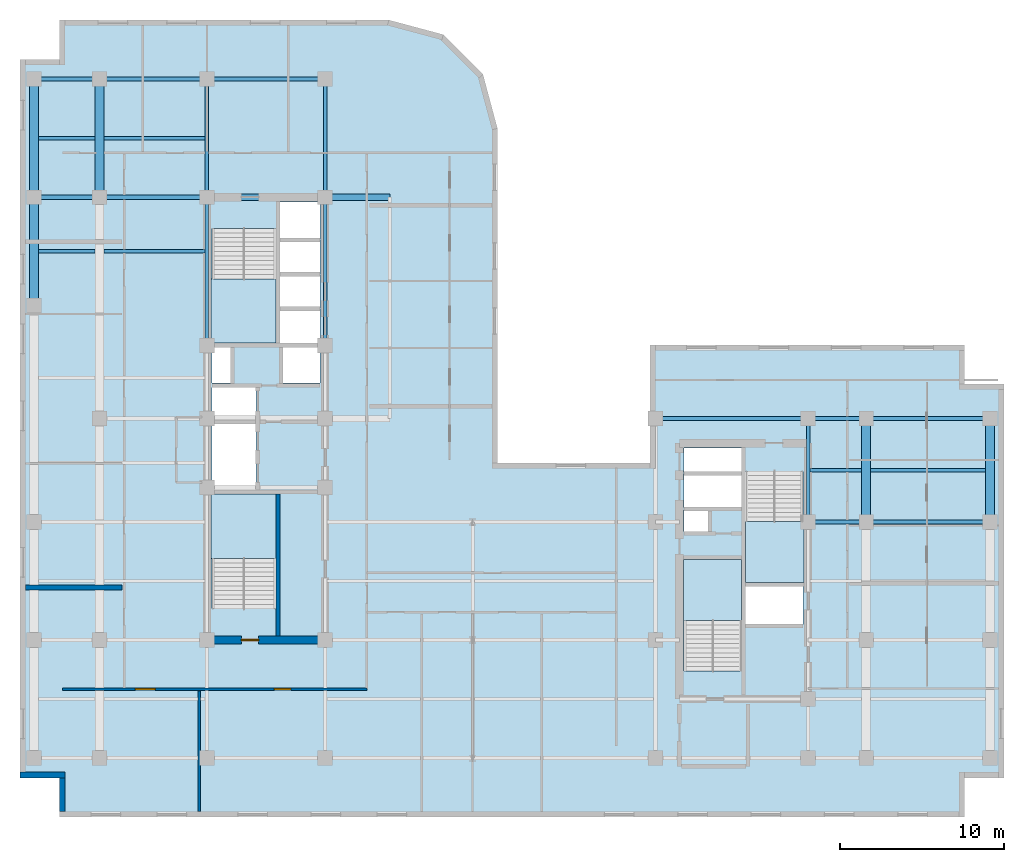
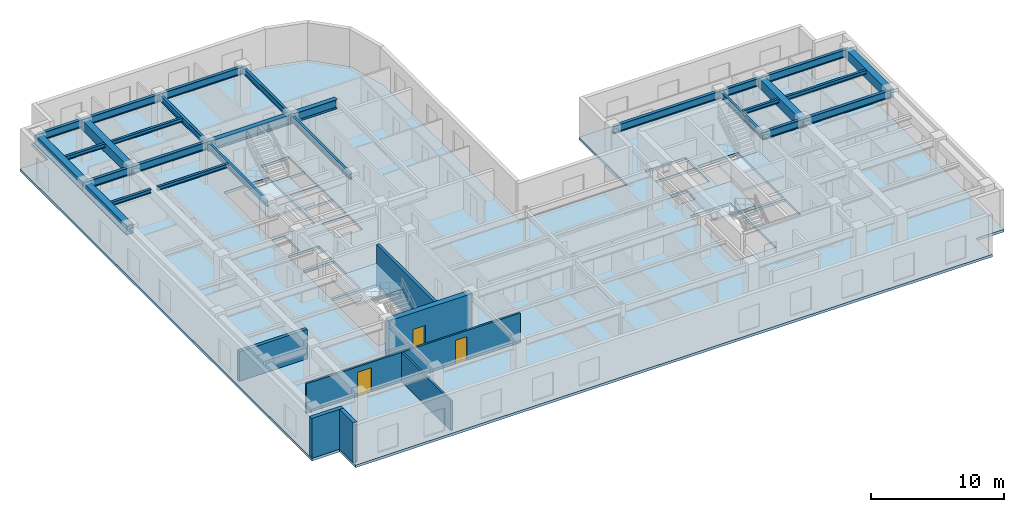
# One storey, part 3 of 11: 27 beams, 7 walls, 5 slabs, 3 doors, 3 openings, 4 elements without a shape of their own.
"""IFC4 building model written with IfcOpenShell, lengths in metres."""

from ifc_helpers import new_model, entity, si_unit, converted_unit, direction, frame, origin_with_axes, origin_2d_with_axis, place, context, subcontext, project, spatial, polyline, rectangle, i_section, outline, extrude, material, layer, layer_set, material_profile, profile_set, type_object, element, fill, aggregate, save


model = new_model("IFC4")

# Units and contexts
model_context = context("Model", 3, precision=1e-05, world=origin_with_axes(), true_north=direction((0.0, 1.0)))
body_context = subcontext(model_context, "Body", "Model", "MODEL_VIEW")
ifc_project = project(units=[si_unit("LENGTHUNIT", "METRE"), si_unit("AREAUNIT", "SQUARE_METRE"), si_unit("VOLUMEUNIT", "CUBIC_METRE"), converted_unit("PLANEANGLEUNIT", "DEGREE", entity("IfcPlaneAngleMeasure", 0.017453292519943295), si_unit("PLANEANGLEUNIT", "RADIAN"), dimensions=[0, 0, 0, 0, 0, 0, 0]), si_unit("MASSUNIT", "GRAM", prefix="KILO"), si_unit("THERMODYNAMICTEMPERATUREUNIT", "KELVIN")], contexts=[model_context])

# Site, building, storey
site_placement = place(None, origin_with_axes())
site = spatial("IfcSite", under=ifc_project, at=site_placement, CompositionType="ELEMENT")
building_placement = place(site_placement, origin_with_axes())
building = spatial("IfcBuilding", under=site, at=building_placement, Name="Varnlund Millrace Tower", CompositionType="ELEMENT")
storey_placement = place(building_placement, frame((0.0, 0.0, 200.4), z_axis=(0.0, 0.0, 1.0), x_axis=(1.0, 0.0, 0.0)))
storey = spatial("IfcBuildingStorey", under=building, at=storey_placement, Name="L49", CompositionType="ELEMENT", Elevation=200.4)

# Beams
ifc_material_1 = material(Name="Steel ASTM A992 Grade 50", Category="steel")
ifc_material_profile_1 = material_profile(ifc_material_1, i_section(OverallWidth=0.214, OverallDepth=0.549, WebThickness=0.0147, FlangeThickness=0.0236, FilletRadius=0.015, at=origin_2d_with_axis()), Name="Steel ASTM A992 Grade 50")
ifc_profile_set_1 = profile_set([ifc_material_profile_1], Name="Steel ASTM A992 Grade 50")
beam_type_1 = type_object("IfcBeamType", Name="Type-Beam-W21X93", PredefinedType="BEAM", material=ifc_profile_set_1)
beam_1_placement = place(storey_placement, frame((11.4, 28.75, 3.3855), z_axis=(0.0, 1.0, 0.0), x_axis=(-1.0, 0.0, 0.0)))
element("IfcBeam", 1, at=beam_1_placement, inside=storey, type_object=beam_type_1, Name="Type-Beam-W21X93", PredefinedType="BEAM", context=body_context, shape_type="SweptSolid", body=[
    extrude(i_section(OverallWidth=0.214, OverallDepth=0.549, WebThickness=0.0147, FlangeThickness=0.0236, FilletRadius=0.015, at=origin_2d_with_axis()), origin_with_axes(), (0.0, 0.0, 1.0), 9.05),
])
beam_2_placement = place(storey_placement, frame((11.4, 37.8, 3.3855), z_axis=(0.0, 1.0, 0.0), x_axis=(-1.0, 0.0, 0.0)))
element("IfcBeam", 2, at=beam_2_placement, inside=storey, type_object=beam_type_1, Name="Type-Beam-W21X93", PredefinedType="BEAM", context=body_context, shape_type="SweptSolid", body=[
    extrude(i_section(OverallWidth=0.214, OverallDepth=0.549, WebThickness=0.0147, FlangeThickness=0.0236, FilletRadius=0.015, at=origin_2d_with_axis()), origin_with_axes(), (0.0, 0.0, 1.0), 7.2),
])
beam_3_placement = place(storey_placement, frame((18.6, 28.75, 3.3855), z_axis=(0.0, 1.0, 0.0), x_axis=(-1.0, 0.0, 0.0)))
element("IfcBeam", 3, at=beam_3_placement, inside=storey, type_object=beam_type_1, Name="Type-Beam-W21X93", PredefinedType="BEAM", context=body_context, shape_type="SweptSolid", body=[
    extrude(i_section(OverallWidth=0.214, OverallDepth=0.549, WebThickness=0.0147, FlangeThickness=0.0236, FilletRadius=0.015, at=origin_2d_with_axis()), origin_with_axes(), (0.0, 0.0, 1.0), 9.05),
])
beam_4_placement = place(storey_placement, frame((18.6, 37.8, 3.3855), z_axis=(0.0, 1.0, 0.0), x_axis=(-1.0, 0.0, 0.0)))
element("IfcBeam", 4, at=beam_4_placement, inside=storey, type_object=beam_type_1, Name="Type-Beam-W21X93", PredefinedType="BEAM", context=body_context, shape_type="SweptSolid", body=[
    extrude(i_section(OverallWidth=0.214, OverallDepth=0.549, WebThickness=0.0147, FlangeThickness=0.0236, FilletRadius=0.015, at=origin_2d_with_axis()), origin_with_axes(), (0.0, 0.0, 1.0), 7.2),
])
beam_5_placement = place(storey_placement, frame((48.05, 18.0, 3.3855), z_axis=(0.0, 1.0, 0.0), x_axis=(-1.0, 0.0, 0.0)))
element("IfcBeam", 5, at=beam_5_placement, inside=storey, type_object=beam_type_1, Name="Type-Beam-W21X93", PredefinedType="BEAM", context=body_context, shape_type="SweptSolid", body=[
    extrude(i_section(OverallWidth=0.214, OverallDepth=0.549, WebThickness=0.0147, FlangeThickness=0.0236, FilletRadius=0.015, at=origin_2d_with_axis()), origin_with_axes(), (0.0, 0.0, 1.0), 6.3),
])
ifc_material_profile_2 = material_profile(ifc_material_1, i_section(OverallWidth=0.256, OverallDepth=0.693, WebThickness=0.0145, FlangeThickness=0.0236, FilletRadius=0.018, at=origin_2d_with_axis()), Name="Steel ASTM A992 Grade 50")
ifc_profile_set_2 = profile_set([ifc_material_profile_2], Name="Steel ASTM A992 Grade 50")
beam_type_2 = type_object("IfcBeamType", Name="Type-Girder-W27X114", PredefinedType="USERDEFINED", material=ifc_profile_set_2)
beam_6_placement = place(storey_placement, frame((48.05, 18.0, 3.3135), z_axis=(1.0, 0.0, 0.0), x_axis=(0.0, 1.0, 0.0)))
element("IfcBeam", 6, at=beam_6_placement, inside=storey, type_object=beam_type_2, Name="Type-Girder-W27X114", ObjectType="GIRDER", PredefinedType="USERDEFINED", context=body_context, shape_type="SweptSolid", body=[
    extrude(i_section(OverallWidth=0.256, OverallDepth=0.693, WebThickness=0.0145, FlangeThickness=0.0236, FilletRadius=0.018, at=origin_2d_with_axis()), origin_with_axes(), (0.0, 0.0, 1.0), 3.55),
])
beam_7_placement = place(storey_placement, frame((51.6, 18.0, 3.3135), z_axis=(1.0, 0.0, 0.0), x_axis=(0.0, 1.0, 0.0)))
element("IfcBeam", 7, at=beam_7_placement, inside=storey, type_object=beam_type_2, Name="Type-Girder-W27X114", ObjectType="GIRDER", PredefinedType="USERDEFINED", context=body_context, shape_type="SweptSolid", body=[
    extrude(i_section(OverallWidth=0.256, OverallDepth=0.693, WebThickness=0.0145, FlangeThickness=0.0236, FilletRadius=0.018, at=origin_2d_with_axis()), origin_with_axes(), (0.0, 0.0, 1.0), 7.55),
])
beam_8_placement = place(storey_placement, frame((38.75, 24.3, 3.3135), z_axis=(1.0, 0.0, 0.0), x_axis=(0.0, 1.0, 0.0)))
element("IfcBeam", 8, at=beam_8_placement, inside=storey, type_object=beam_type_2, Name="Type-Girder-W27X114", ObjectType="GIRDER", PredefinedType="USERDEFINED", context=body_context, shape_type="SweptSolid", body=[
    extrude(i_section(OverallWidth=0.256, OverallDepth=0.693, WebThickness=0.0145, FlangeThickness=0.0236, FilletRadius=0.018, at=origin_2d_with_axis()), origin_with_axes(), (0.0, 0.0, 1.0), 9.3),
])
beam_9_placement = place(storey_placement, frame((48.05, 24.3, 3.3135), z_axis=(1.0, 0.0, 0.0), x_axis=(0.0, 1.0, 0.0)))
element("IfcBeam", 9, at=beam_9_placement, inside=storey, type_object=beam_type_2, Name="Type-Girder-W27X114", ObjectType="GIRDER", PredefinedType="USERDEFINED", context=body_context, shape_type="SweptSolid", body=[
    extrude(i_section(OverallWidth=0.256, OverallDepth=0.693, WebThickness=0.0145, FlangeThickness=0.0236, FilletRadius=0.018, at=origin_2d_with_axis()), origin_with_axes(), (0.0, 0.0, 1.0), 3.55),
])
beam_10_placement = place(storey_placement, frame((51.6, 24.3, 3.3135), z_axis=(1.0, 0.0, 0.0), x_axis=(0.0, 1.0, 0.0)))
element("IfcBeam", 10, at=beam_10_placement, inside=storey, type_object=beam_type_2, Name="Type-Girder-W27X114", ObjectType="GIRDER", PredefinedType="USERDEFINED", context=body_context, shape_type="SweptSolid", body=[
    extrude(i_section(OverallWidth=0.256, OverallDepth=0.693, WebThickness=0.0145, FlangeThickness=0.0236, FilletRadius=0.018, at=origin_2d_with_axis()), origin_with_axes(), (0.0, 0.0, 1.0), 7.55),
])
beam_11_placement = place(storey_placement, frame((0.85, 37.8, 3.3135), z_axis=(1.0, 0.0, 0.0), x_axis=(0.0, 1.0, 0.0)))
element("IfcBeam", 11, at=beam_11_placement, inside=storey, type_object=beam_type_2, Name="Type-Girder-W27X114", ObjectType="GIRDER", PredefinedType="USERDEFINED", context=body_context, shape_type="SweptSolid", body=[
    extrude(i_section(OverallWidth=0.256, OverallDepth=0.693, WebThickness=0.0145, FlangeThickness=0.0236, FilletRadius=0.018, at=origin_2d_with_axis()), origin_with_axes(), (0.0, 0.0, 1.0), 4.0),
])
beam_12_placement = place(storey_placement, frame((4.85, 37.8, 3.3135), z_axis=(1.0, 0.0, 0.0), x_axis=(0.0, 1.0, 0.0)))
element("IfcBeam", 12, at=beam_12_placement, inside=storey, type_object=beam_type_2, Name="Type-Girder-W27X114", ObjectType="GIRDER", PredefinedType="USERDEFINED", context=body_context, shape_type="SweptSolid", body=[
    extrude(i_section(OverallWidth=0.256, OverallDepth=0.693, WebThickness=0.0145, FlangeThickness=0.0236, FilletRadius=0.018, at=origin_2d_with_axis()), origin_with_axes(), (0.0, 0.0, 1.0), 6.55),
])
beam_13_placement = place(storey_placement, frame((0.85, 45.0, 3.3135), z_axis=(1.0, 0.0, 0.0), x_axis=(0.0, 1.0, 0.0)))
element("IfcBeam", 13, at=beam_13_placement, inside=storey, type_object=beam_type_2, Name="Type-Girder-W27X114", ObjectType="GIRDER", PredefinedType="USERDEFINED", context=body_context, shape_type="SweptSolid", body=[
    extrude(i_section(OverallWidth=0.256, OverallDepth=0.693, WebThickness=0.0145, FlangeThickness=0.0236, FilletRadius=0.018, at=origin_2d_with_axis()), origin_with_axes(), (0.0, 0.0, 1.0), 4.0),
])
beam_14_placement = place(storey_placement, frame((4.85, 45.0, 3.3135), z_axis=(1.0, 0.0, 0.0), x_axis=(0.0, 1.0, 0.0)))
element("IfcBeam", 14, at=beam_14_placement, inside=storey, type_object=beam_type_2, Name="Type-Girder-W27X114", ObjectType="GIRDER", PredefinedType="USERDEFINED", context=body_context, shape_type="SweptSolid", body=[
    extrude(i_section(OverallWidth=0.256, OverallDepth=0.693, WebThickness=0.0145, FlangeThickness=0.0236, FilletRadius=0.018, at=origin_2d_with_axis()), origin_with_axes(), (0.0, 0.0, 1.0), 6.55),
])
beam_15_placement = place(storey_placement, frame((11.4, 45.0, 3.3135), z_axis=(1.0, 0.0, 0.0), x_axis=(0.0, 1.0, 0.0)))
element("IfcBeam", 15, at=beam_15_placement, inside=storey, type_object=beam_type_2, Name="Type-Girder-W27X114", ObjectType="GIRDER", PredefinedType="USERDEFINED", context=body_context, shape_type="SweptSolid", body=[
    extrude(i_section(OverallWidth=0.256, OverallDepth=0.693, WebThickness=0.0145, FlangeThickness=0.0236, FilletRadius=0.018, at=origin_2d_with_axis()), origin_with_axes(), (0.0, 0.0, 1.0), 7.2),
])
ifc_material_profile_3 = material_profile(ifc_material_1, i_section(OverallWidth=0.399, OverallDepth=0.855, WebThickness=0.0182, FlangeThickness=0.0292, FilletRadius=0.022, at=origin_2d_with_axis()), Name="Steel ASTM A992 Grade 50")
ifc_profile_set_3 = profile_set([ifc_material_profile_3], Name="Steel ASTM A992 Grade 50")
beam_type_3 = type_object("IfcBeamType", Name="Type-Girder-W33X201", PredefinedType="USERDEFINED", material=ifc_profile_set_3)
beam_16_placement = place(storey_placement, frame((11.4, 37.8, 3.2325), z_axis=(1.0, 0.0, 0.0), x_axis=(0.0, 1.0, 0.0)))
element("IfcBeam", 16, at=beam_16_placement, inside=storey, type_object=beam_type_3, Name="Type-Girder-W33X201", ObjectType="GIRDER", PredefinedType="USERDEFINED", context=body_context, shape_type="SweptSolid", body=[
    extrude(i_section(OverallWidth=0.399, OverallDepth=0.855, WebThickness=0.0182, FlangeThickness=0.0292, FilletRadius=0.022, at=origin_2d_with_axis()), origin_with_axes(), (0.0, 0.0, 1.0), 11.15),
])
ifc_material_profile_4 = material_profile(ifc_material_1, i_section(OverallWidth=0.204, OverallDepth=0.35, WebThickness=0.0086, FlangeThickness=0.0151, FilletRadius=0.013, at=origin_2d_with_axis()), Name="Steel ASTM A992 Grade 50")
ifc_profile_set_4 = profile_set([ifc_material_profile_4], Name="Steel ASTM A992 Grade 50")
beam_type_4 = type_object("IfcBeamType", Name="Type-Joist-W14X48", PredefinedType="JOIST", material=ifc_profile_set_4)
for number, where, z_axis, x_axis, name in (
    (17, (1.125, 34.5, 3.485), (1.0, 0.0, 0.0), (0.0, 1.0, 0.0), "Type-Joist-W14X48"),
    (18, (1.125, 41.4, 3.485), (1.0, 0.0, 0.0), (0.0, 1.0, 0.0), "Type-Joist-W14X48"),
):
    element("IfcBeam", number, at=place(storey_placement, frame(where, z_axis=z_axis, x_axis=x_axis)), inside=storey, type_object=beam_type_4, Name=name, PredefinedType="JOIST", context=body_context, shape_type="SweptSolid", body=[
        extrude(i_section(OverallWidth=0.204, OverallDepth=0.35, WebThickness=0.0086, FlangeThickness=0.0151, FilletRadius=0.013, at=origin_2d_with_axis()), origin_with_axes(), (0.0, 0.0, 1.0), 3.45),
    ])
for number, where, z_axis, x_axis, name in (
    (19, (5.125, 34.5, 3.485), (1.0, 0.0, 0.0), (0.0, 1.0, 0.0), "Type-Joist-W14X48"),
    (20, (5.125, 41.4, 3.485), (1.0, 0.0, 0.0), (0.0, 1.0, 0.0), "Type-Joist-W14X48"),
):
    element("IfcBeam", number, at=place(storey_placement, frame(where, z_axis=z_axis, x_axis=x_axis)), inside=storey, type_object=beam_type_4, Name=name, PredefinedType="JOIST", context=body_context, shape_type="SweptSolid", body=[
        extrude(i_section(OverallWidth=0.204, OverallDepth=0.35, WebThickness=0.0086, FlangeThickness=0.0151, FilletRadius=0.013, at=origin_2d_with_axis()), origin_with_axes(), (0.0, 0.0, 1.0), 6.168),
    ])
beam_17_placement = place(storey_placement, frame((48.157, 21.15, 3.485), z_axis=(1.0, 0.0, 0.0), x_axis=(0.0, 1.0, 0.0)))
element("IfcBeam", 21, at=beam_17_placement, inside=storey, type_object=beam_type_4, Name="Type-Joist-W14X48", PredefinedType="JOIST", context=body_context, shape_type="SweptSolid", body=[
    extrude(i_section(OverallWidth=0.204, OverallDepth=0.35, WebThickness=0.0086, FlangeThickness=0.0151, FilletRadius=0.013, at=origin_2d_with_axis()), origin_with_axes(), (0.0, 0.0, 1.0), 3.168),
])
beam_18_placement = place(storey_placement, frame((51.875, 21.15, 3.485), z_axis=(1.0, 0.0, 0.0), x_axis=(0.0, 1.0, 0.0)))
element("IfcBeam", 22, at=beam_18_placement, inside=storey, type_object=beam_type_4, Name="Type-Joist-W14X48", PredefinedType="JOIST", context=body_context, shape_type="SweptSolid", body=[
    extrude(i_section(OverallWidth=0.204, OverallDepth=0.35, WebThickness=0.0086, FlangeThickness=0.0151, FilletRadius=0.013, at=origin_2d_with_axis()), origin_with_axes(), (0.0, 0.0, 1.0), 7.0),
])
ifc_material_2 = material(Name="Concrete C60/75", Category="concrete")
ifc_material_profile_5 = material_profile(ifc_material_2, rectangle(XDim=0.55, YDim=0.85, at=origin_2d_with_axis()), Name="Concrete C60/75")
ifc_profile_set_5 = profile_set([ifc_material_profile_5], Name="Concrete C60/75")
beam_type_5 = type_object("IfcBeamType", Name="Type-Spandrel-RC550X850", PredefinedType="SPANDREL", material=ifc_profile_set_5)
beam_19_placement = place(storey_placement, frame((0.85, 31.2, 3.235), z_axis=(0.0, 1.0, 0.0), x_axis=(-1.0, 0.0, 0.0)))
element("IfcBeam", 23, at=beam_19_placement, inside=storey, type_object=beam_type_5, Name="Type-Spandrel-RC550X850", PredefinedType="SPANDREL", context=body_context, shape_type="SweptSolid", body=[
    extrude(rectangle(XDim=0.55, YDim=0.85, at=origin_2d_with_axis()), origin_with_axes(), (0.0, 0.0, 1.0), 6.6),
])
for number, where, z_axis, x_axis, name in (
    (24, (0.85, 37.8, 3.235), (0.0, 1.0, 0.0), (-1.0, 0.0, 0.0), "Type-Spandrel-RC550X850"),
    (25, (4.85, 37.8, 3.235), (0.0, 1.0, 0.0), (-1.0, 0.0, 0.0), "Type-Spandrel-RC550X850"),
):
    element("IfcBeam", number, at=place(storey_placement, frame(where, z_axis=z_axis, x_axis=x_axis)), inside=storey, type_object=beam_type_5, Name=name, PredefinedType="SPANDREL", context=body_context, shape_type="SweptSolid", body=[
        extrude(rectangle(XDim=0.55, YDim=0.85, at=origin_2d_with_axis()), origin_with_axes(), (0.0, 0.0, 1.0), 7.2),
    ])
for number, where, z_axis, x_axis, name in (
    (26, (51.6, 18.0, 3.235), (0.0, 1.0, 0.0), (-1.0, 0.0, 0.0), "Type-Spandrel-RC550X850"),
    (27, (59.15, 18.0, 3.235), (0.0, 1.0, 0.0), (-1.0, 0.0, 0.0), "Type-Spandrel-RC550X850"),
):
    element("IfcBeam", number, at=place(storey_placement, frame(where, z_axis=z_axis, x_axis=x_axis)), inside=storey, type_object=beam_type_5, Name=name, PredefinedType="SPANDREL", context=body_context, shape_type="SweptSolid", body=[
        extrude(rectangle(XDim=0.55, YDim=0.85, at=origin_2d_with_axis()), origin_with_axes(), (0.0, 0.0, 1.0), 6.3),
    ])

# Slab
ifc_layer_1 = layer(ifc_material_2, 0.24, Name="Concrete C60/75")
ifc_layer_set_1 = layer_set([ifc_layer_1], Name="Concrete C60/75")
slab_type_1 = type_object("IfcSlabType", Name="Type-Deck-Plate-Typical-240", PredefinedType="FLOOR", material=ifc_layer_set_1)
slab_1_placement = place(storey_placement, frame((0.0, 0.0, -0.24), z_axis=(0.0, 0.0, 1.0), x_axis=(1.0, 0.0, 0.0)))
element("IfcSlab", 28, at=slab_1_placement, inside=storey, type_object=slab_type_1, Name="Type-Deck-Plate-Typical-240", PredefinedType="FLOOR", context=body_context, shape_type="SweptSolid", body=[
    extrude(outline(polyline([(29.112, 21.6), (29.112, 42.0), (28.228, 45.3), (25.812, 47.716), (22.512, 48.6), (2.4, 48.6), (2.4, 46.2), (0.0, 46.2), (0.0, 2.4), (2.4, 2.4), (2.4, 0.0), (57.6, 0.0), (57.6, 2.4), (60.0, 2.4), (60.0, 26.4), (57.6, 26.4), (57.6, 28.8), (38.4, 28.8), (38.4, 21.6), (29.112, 21.6)]), holes=[polyline([(15.6, 12.715), (11.7, 12.715), (11.7, 19.7), (15.6, 19.7), (15.6, 12.715)]), polyline([(14.38, 23.98), (14.38, 19.94), (11.7, 19.94), (11.7, 23.98), (14.38, 23.98)]), polyline([(14.38, 24.24), (11.7, 24.24), (11.7, 26.2), (14.38, 26.2), (14.38, 24.24)]), polyline([(12.84, 26.46), (11.7, 26.46), (11.7, 28.65), (12.84, 28.65), (12.84, 26.46)]), polyline([(18.3, 28.9), (15.84, 28.9), (15.84, 30.98), (18.3, 30.98), (18.3, 28.9)]), polyline([(18.3, 31.02), (15.84, 31.02), (15.84, 33.08), (18.3, 33.08), (18.3, 31.02)]), polyline([(15.6, 28.9), (11.7, 28.9), (11.7, 35.885), (15.6, 35.885), (15.6, 28.9)]), polyline([(18.3, 33.12), (15.84, 33.12), (15.84, 35.18), (18.3, 35.18), (18.3, 33.12)]), polyline([(44.0, 8.915), (40.5, 8.915), (40.5, 15.7), (44.0, 15.7), (44.0, 8.915)]), polyline([(47.75, 11.74), (44.25, 11.74), (44.25, 14.06), (47.75, 14.06), (47.75, 11.74)]), polyline([(47.75, 14.3), (44.25, 14.3), (44.25, 21.085), (47.75, 21.085), (47.75, 14.3)]), polyline([(41.95, 17.42), (40.5, 17.42), (40.5, 18.72), (41.95, 18.72), (41.95, 17.42)]), polyline([(44.0, 18.88), (40.5, 18.88), (40.5, 20.94), (44.0, 20.94), (44.0, 18.88)]), polyline([(44.0, 21.0), (40.5, 21.0), (40.5, 22.5), (44.0, 22.5), (44.0, 21.0)]), polyline([(16.04, 26.46), (16.04, 28.65), (18.3, 28.65), (18.3, 26.46), (16.04, 26.46)]), polyline([(15.84, 35.22), (15.84, 37.5), (18.3, 37.5), (18.3, 35.22), (15.84, 35.22)])]), origin_with_axes(), (0.0, 0.0, 1.0), 0.24),
])

# Stair, slab
ifc_material_3 = material(Name="Concrete C50/60", Category="concrete")
stair_type_1 = type_object("IfcStairType", Name="Type-Stair-Dogleg-185-390", PredefinedType="HALF_TURN_STAIR", material=ifc_material_3)
stair_1_placement = place(storey_placement, origin_with_axes())
stair_1 = element("IfcStair", 29, at=stair_1_placement, inside=storey, type_object=stair_type_1, Name="Type-Stair-Dogleg-185-390", PredefinedType="HALF_TURN_STAIR")
ifc_layer_2 = layer(ifc_material_3, 0.2, Name="Concrete C50/60")
ifc_layer_set_2 = layer_set([ifc_layer_2], Name="Concrete C50/60")
slab_type_2 = type_object("IfcSlabType", Name="Type-StairLanding-200", PredefinedType="LANDING", material=ifc_layer_set_2)
slab_2_placement = place(storey_placement, frame((0.0, 0.0, 1.75), z_axis=(0.0, 0.0, 1.0), x_axis=(1.0, 0.0, 0.0)))
slab_2 = element("IfcSlab", 30, at=slab_2_placement, type_object=slab_type_2, Name="ST-A1 landing 1", PredefinedType="LANDING", context=body_context, shape_type="SweptSolid", body=[
    extrude(outline(polyline([(15.6, 15.78), (15.6, 19.7), (11.65, 19.7), (11.65, 15.78), (15.6, 15.78)])), origin_with_axes(), (0.0, 0.0, 1.0), 0.2),
])
aggregate(stair_1, [slab_2])

stair_2_placement = place(storey_placement, origin_with_axes())
stair_2 = element("IfcStair", 31, at=stair_2_placement, inside=storey, type_object=stair_type_1, Name="Type-Stair-Dogleg-185-390", PredefinedType="HALF_TURN_STAIR")
slab_3_placement = place(storey_placement, frame((0.0, 0.0, 1.75), z_axis=(0.0, 0.0, 1.0), x_axis=(1.0, 0.0, 0.0)))
slab_3 = element("IfcSlab", 32, at=slab_3_placement, type_object=slab_type_2, Name="ST-A2 landing 1", PredefinedType="LANDING", context=body_context, shape_type="SweptSolid", body=[
    extrude(outline(polyline([(11.65, 32.82), (11.65, 28.9), (15.6, 28.9), (15.6, 32.82), (11.65, 32.82)])), origin_with_axes(), (0.0, 0.0, 1.0), 0.2),
])
aggregate(stair_2, [slab_3])

stair_type_2 = type_object("IfcStairType", Name="Type-Stair-Dogleg-165-390", PredefinedType="HALF_TURN_STAIR", material=ifc_material_3)
stair_3_placement = place(storey_placement, origin_with_axes())
stair_3 = element("IfcStair", 33, at=stair_3_placement, inside=storey, type_object=stair_type_2, Name="Type-Stair-Dogleg-165-390", PredefinedType="HALF_TURN_STAIR")
slab_4_placement = place(storey_placement, frame((0.0, 0.0, 1.75), z_axis=(0.0, 0.0, 1.0), x_axis=(1.0, 0.0, 0.0)))
slab_4 = element("IfcSlab", 34, at=slab_4_placement, type_object=slab_type_2, Name="ST-B1 landing 1", PredefinedType="LANDING", context=body_context, shape_type="SweptSolid", body=[
    extrude(outline(polyline([(44.0, 11.98), (44.0, 15.7), (40.45, 15.7), (40.45, 11.98), (44.0, 11.98)])), origin_with_axes(), (0.0, 0.0, 1.0), 0.2),
])
aggregate(stair_3, [slab_4])

stair_4_placement = place(storey_placement, origin_with_axes())
stair_4 = element("IfcStair", 35, at=stair_4_placement, inside=storey, type_object=stair_type_2, Name="Type-Stair-Dogleg-165-390", PredefinedType="HALF_TURN_STAIR")
slab_5_placement = place(storey_placement, frame((0.0, 0.0, 1.75), z_axis=(0.0, 0.0, 1.0), x_axis=(1.0, 0.0, 0.0)))
slab_5 = element("IfcSlab", 36, at=slab_5_placement, type_object=slab_type_2, Name="ST-B2 landing 1", PredefinedType="LANDING", context=body_context, shape_type="SweptSolid", body=[
    extrude(outline(polyline([(44.25, 18.02), (44.25, 14.3), (47.8, 14.3), (47.8, 18.02), (44.25, 18.02)])), origin_with_axes(), (0.0, 0.0, 1.0), 0.2),
])
aggregate(stair_4, [slab_5])

# Wall, opening, door
ifc_material_4 = material(Name="Concrete C70/85", Category="concrete")
ifc_layer_3 = layer(ifc_material_4, 0.5, Name="Concrete C70/85")
ifc_layer_set_3 = layer_set([ifc_layer_3], Name="Concrete C70/85")
wall_type_1 = type_object("IfcWallType", Name="Type-CoreWall-Shear-500-C70", PredefinedType="SHEAR", material=ifc_layer_set_3)
wall_1_placement = place(storey_placement, frame((11.4, 10.8, 0.0), z_axis=(0.0, 0.0, 1.0), x_axis=(1.0, 0.0, 0.0)))
wall_1 = element("IfcWall", 37, at=wall_1_placement, inside=storey, type_object=wall_type_1, Name="Type-CoreWall-Shear-500-C70", PredefinedType="SHEAR", context=body_context, shape_type="SweptSolid", body=[
    extrude(outline(polyline([(0.0, -0.25), (7.2, -0.25), (7.2, 0.25), (0.0, 0.25), (0.0, -0.25)])), origin_with_axes(), (0.0, 0.0, 1.0), 3.66),
])
opening_1_placement = place(wall_1_placement, frame((2.625, 0.0, 0.0), z_axis=(0.0, 0.0, 1.0), x_axis=(1.0, 0.0, 0.0)))
opening_1 = element("IfcOpeningElement", 38, at=opening_1_placement, cuts=wall_1, Name="Opening L49:DR-STA1", PredefinedType="OPENING", context=body_context, shape_type="SweptSolid", body=[
    extrude(rectangle(XDim=1.05, YDim=0.52, at=origin_2d_with_axis()), origin_with_axes(), (0.0, 0.0, 1.0), 2.15),
])
ifc_material_5 = material(Name="Fire-rated hollow steel door", Category="steel")
door_type_1 = type_object("IfcDoorType", Name="Type-FireDoor-Stair-1050X2150", OperationType="NOTDEFINED", PredefinedType="DOOR", material=ifc_material_5)
door_1_placement = place(wall_1_placement, frame((2.625, 0.0, 0.0), z_axis=(0.0, 0.0, 1.0), x_axis=(1.0, 0.0, 0.0)))
door_1 = element("IfcDoor", 39, at=door_1_placement, inside=storey, type_object=door_type_1, Name="Type-FireDoor-Stair-1050X2150", OperationType="SINGLE_SWING_LEFT", OverallHeight=2.15, OverallWidth=1.05, PredefinedType="DOOR", context=body_context, shape_type="SweptSolid", body=[
    extrude(rectangle(XDim=1.05, YDim=0.09, at=origin_2d_with_axis()), origin_with_axes(), (0.0, 0.0, 1.0), 2.15),
])
fill(opening_1, door_1)

# Walls
ifc_material_6 = material(Name="Precast concrete C50/60", Category="concrete")
ifc_layer_4 = layer(ifc_material_6, 0.34, Name="Precast concrete C50/60")
ifc_layer_set_4 = layer_set([ifc_layer_4], Name="Precast concrete C50/60")
wall_type_2 = type_object("IfcWallType", Name="Type-ExtWall-Precast-Upper-340", PredefinedType="SOLIDWALL", material=ifc_layer_set_4)
wall_2_placement = place(storey_placement, frame((2.57, 0.34, 0.0), z_axis=(0.0, 0.0, 1.0), x_axis=(0.0, 1.0, 0.0)))
element("IfcWall", 40, at=wall_2_placement, inside=storey, type_object=wall_type_2, Name="Type-ExtWall-Precast-Upper-340", PredefinedType="SOLIDWALL", context=body_context, shape_type="SweptSolid", body=[
    extrude(outline(polyline([(0.0, -0.17), (2.06, -0.17), (2.06, 0.17), (0.0, 0.17), (0.0, -0.17)])), origin_with_axes(), (0.0, 0.0, 1.0), 3.66),
])
wall_3_placement = place(storey_placement, frame((2.74, 2.57, 0.0), z_axis=(0.0, 0.0, 1.0), x_axis=(-1.0, 0.0, 0.0)))
element("IfcWall", 41, at=wall_3_placement, inside=storey, type_object=wall_type_2, Name="Type-ExtWall-Precast-Upper-340", PredefinedType="SOLIDWALL", context=body_context, shape_type="SweptSolid", body=[
    extrude(outline(polyline([(0.0, -0.17), (2.74, -0.17), (2.74, 0.17), (0.0, 0.17), (0.0, -0.17)])), origin_with_axes(), (0.0, 0.0, 1.0), 3.66),
])
ifc_material_7 = material(Name="Double-stud STC-60 conference acoustic partition", Category="gypsum")
ifc_layer_5 = layer(ifc_material_7, 0.28, Name="Double-stud STC-60 conference acoustic partition")
ifc_layer_set_5 = layer_set([ifc_layer_5], Name="Double-stud STC-60 conference acoustic partition")
wall_type_3 = type_object("IfcWallType", Name="Type-Partition-Acoustic-280", PredefinedType="PARTITIONING", material=ifc_layer_set_5)
wall_4_placement = place(storey_placement, frame((0.335, 14.001, 0.0), z_axis=(0.0, 0.0, 1.0), x_axis=(1.0, 0.0, 0.0)))
element("IfcWall", 42, at=wall_4_placement, inside=storey, type_object=wall_type_3, Name="Type-Partition-Acoustic-280", PredefinedType="PARTITIONING", context=body_context, shape_type="SweptSolid", body=[
    extrude(outline(polyline([(0.0, -0.14), (5.895, -0.14), (5.895, 0.14), (0.0, 0.14), (0.0, -0.14)])), origin_with_axes(), (0.0, 0.0, 1.0), 2.7),
])

# Wall, openings, doors
ifc_material_8 = material(Name="Fire-rated gypsum board on cold-formed steel framing", Category="steel")
ifc_layer_6 = layer(ifc_material_8, 0.16, Name="Fire-rated gypsum board on cold-formed steel framing")
ifc_layer_set_6 = layer_set([ifc_layer_6], Name="Fire-rated gypsum board on cold-formed steel framing")
wall_type_4 = type_object("IfcWallType", Name="Type-Partition-Corridor-160", PredefinedType="PARTITIONING", material=ifc_layer_set_6)
wall_5_placement = place(storey_placement, frame((2.6, 7.8, 0.0), z_axis=(0.0, 0.0, 1.0), x_axis=(1.0, 0.0, 0.0)))
wall_5 = element("IfcWall", 43, at=wall_5_placement, inside=storey, type_object=wall_type_4, Name="Type-Partition-Corridor-160", PredefinedType="PARTITIONING", context=body_context, shape_type="SweptSolid", body=[
    extrude(outline(polyline([(0.0, -0.08), (18.55, -0.08), (18.55, 0.08), (0.0, 0.08), (0.0, -0.08)])), origin_with_axes(), (0.0, 0.0, 1.0), 2.7),
])
opening_2_placement = place(wall_5_placement, frame((5.04, 0.0, 0.0), z_axis=(0.0, 0.0, 1.0), x_axis=(1.0, 0.0, 0.0)))
opening_2 = element("IfcOpeningElement", 44, at=opening_2_placement, cuts=wall_5, Name="Opening L49:DR-WAS-01", PredefinedType="OPENING", context=body_context, shape_type="SweptSolid", body=[
    extrude(rectangle(XDim=1.2, YDim=0.18, at=origin_2d_with_axis()), origin_with_axes(), (0.0, 0.0, 1.0), 2.2),
])
opening_3_placement = place(wall_5_placement, frame((13.4145, 0.0, 0.0), z_axis=(0.0, 0.0, 1.0), x_axis=(1.0, 0.0, 0.0)))
opening_3 = element("IfcOpeningElement", 45, at=opening_3_placement, cuts=wall_5, Name="Opening L49:DR-WAS-02", PredefinedType="OPENING", context=body_context, shape_type="SweptSolid", body=[
    extrude(rectangle(XDim=1.0, YDim=0.18, at=origin_2d_with_axis()), origin_with_axes(), (0.0, 0.0, 1.0), 2.15),
])
ifc_material_9 = material(Name="Wide executive white oak acoustic door")
door_type_2 = type_object("IfcDoorType", Name="Type-IntDoor-Exec-1200X2200", OperationType="NOTDEFINED", PredefinedType="DOOR", material=ifc_material_9)
door_2_placement = place(wall_5_placement, frame((5.04, 0.0, 0.0), z_axis=(0.0, 0.0, 1.0), x_axis=(1.0, 0.0, 0.0)))
door_2 = element("IfcDoor", 46, at=door_2_placement, inside=storey, type_object=door_type_2, Name="Type-IntDoor-Exec-1200X2200", OperationType="SINGLE_SWING_LEFT", OverallHeight=2.2, OverallWidth=1.2, PredefinedType="DOOR", context=body_context, shape_type="SweptSolid", body=[
    extrude(rectangle(XDim=1.2, YDim=0.09, at=origin_2d_with_axis()), origin_with_axes(), (0.0, 0.0, 1.0), 2.2),
])
fill(opening_2, door_2)
ifc_material_10 = material(Name="Solid-core white oak and bronze frame door")
door_type_3 = type_object("IfcDoorType", Name="Type-IntDoor-Office-1000X2150", OperationType="NOTDEFINED", PredefinedType="DOOR", material=ifc_material_10)
door_3_placement = place(wall_5_placement, frame((13.4145, 0.0, 0.0), z_axis=(0.0, 0.0, 1.0), x_axis=(1.0, 0.0, 0.0)))
door_3 = element("IfcDoor", 47, at=door_3_placement, inside=storey, type_object=door_type_3, Name="Type-IntDoor-Office-1000X2150", OperationType="SINGLE_SWING_RIGHT", OverallHeight=2.15, OverallWidth=1.0, PredefinedType="DOOR", context=body_context, shape_type="SweptSolid", body=[
    extrude(rectangle(XDim=1.0, YDim=0.09, at=origin_2d_with_axis()), origin_with_axes(), (0.0, 0.0, 1.0), 2.15),
])
fill(opening_3, door_3)

# Walls
ifc_material_11 = material(Name="Acoustic STC-50 gypsum board partition", Category="gypsum")
ifc_layer_7 = layer(ifc_material_11, 0.15, Name="Acoustic STC-50 gypsum board partition")
ifc_layer_set_7 = layer_set([ifc_layer_7], Name="Acoustic STC-50 gypsum board partition")
wall_type_5 = type_object("IfcWallType", Name="Type-Partition-Demising-150", PredefinedType="PARTITIONING", material=ifc_layer_set_7)
wall_6_placement = place(storey_placement, frame((10.929, 0.335, 0.0), z_axis=(0.0, 0.0, 1.0), x_axis=(0.0, 1.0, 0.0)))
element("IfcWall", 48, at=wall_6_placement, inside=storey, type_object=wall_type_5, Name="Type-Partition-Demising-150", PredefinedType="PARTITIONING", context=body_context, shape_type="SweptSolid", body=[
    extrude(outline(polyline([(0.0, -0.075), (7.365, -0.075), (7.365, 0.075), (0.0, 0.075), (0.0, -0.075)])), origin_with_axes(), (0.0, 0.0, 1.0), 2.7),
])
ifc_layer_8 = layer(ifc_material_2, 0.25, Name="Concrete C60/75")
ifc_layer_set_8 = layer_set([ifc_layer_8], Name="Concrete C60/75")
wall_type_6 = type_object("IfcWallType", Name="Type-StairWall-Shear-250", PredefinedType="SHEAR", material=ifc_layer_set_8)
wall_7_placement = place(storey_placement, frame((15.725, 11.05, 0.0), z_axis=(0.0, 0.0, 1.0), x_axis=(0.0, 1.0, 0.0)))
element("IfcWall", 49, at=wall_7_placement, inside=storey, type_object=wall_type_6, Name="Type-StairWall-Shear-250", PredefinedType="SHEAR", context=body_context, shape_type="SweptSolid", body=[
    extrude(outline(polyline([(0.0, -0.125), (8.65, -0.125), (8.65, 0.125), (0.0, 0.125), (0.0, -0.125)])), origin_with_axes(), (0.0, 0.0, 1.0), 3.66),
])

save(model, "model.ifc")
